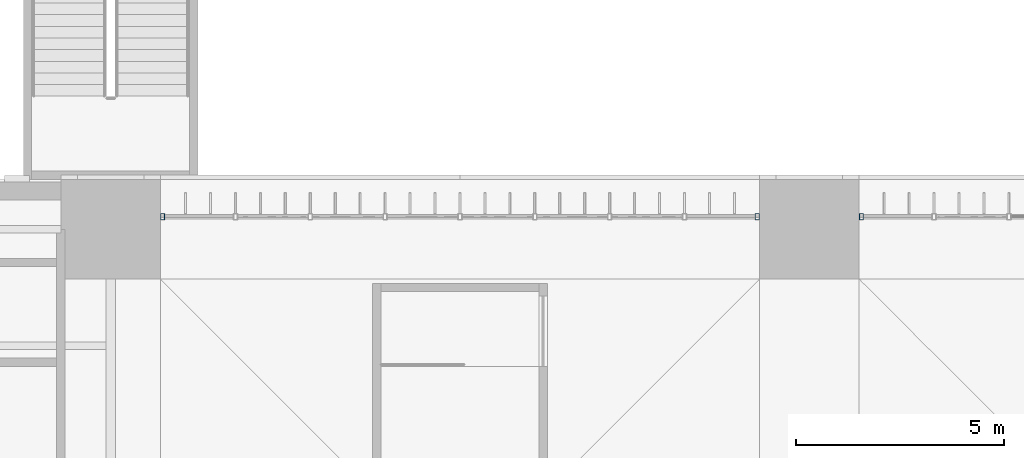
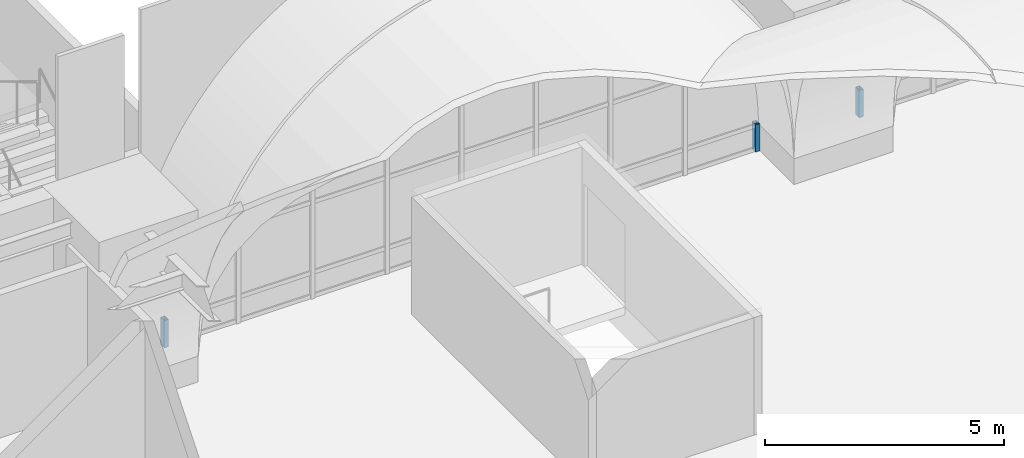
# One storey, part 62 of 169: 3 members, 2 elements without a shape of their own.
"""IFC4 building model written with IfcOpenShell, lengths in metres."""

from ifc_helpers import new_model, si_unit, direction, frame, origin, origin_2d, place, context, subcontext, project, spatial, hollow_rectangle, extrude, material, layer, layer_set, material_profile, profile_set, type_object, element, aggregate, save


model = new_model("IFC4")

# Units and contexts
model_context = context("Model", 3, precision=1e-05, world=origin(), true_north=direction((0.0, 1.0)))
body_context = subcontext(model_context, "Body", "Model", "MODEL_VIEW")
ifc_project = project(units=[si_unit("LENGTHUNIT", "METRE"), si_unit("AREAUNIT", "SQUARE_METRE"), si_unit("VOLUMEUNIT", "CUBIC_METRE"), si_unit("PLANEANGLEUNIT", "RADIAN"), si_unit("MASSUNIT", "GRAM", prefix="KILO")], contexts=[model_context])

# Site, building, storey
site_placement = place(None, origin())
site = spatial("IfcSite", under=ifc_project, at=site_placement, CompositionType="ELEMENT")
building_placement = place(site_placement, origin())
building = spatial("IfcBuilding", under=site, at=building_placement, Name="Verrick Yard Athletic Hall", CompositionType="ELEMENT")
storey_placement = place(building_placement, frame((0.0, 0.0, 4.39990234375)))
storey = spatial("IfcBuildingStorey", under=building, at=storey_placement, Name="L01", CompositionType="ELEMENT", Elevation=4.39990234375)

# Curtain wall, members
ifc_material_1 = material(Name="Aluminium and glass curtain wall", Category="aluminium")
ifc_layer = layer(ifc_material_1, 0.14990234375)
ifc_layer_set = layer_set([ifc_layer], Name="Arcade glazing arch")
curtain_wall_type = type_object("IfcCurtainWallType", Name="Arcade glazing arch", PredefinedType="NOTDEFINED", material=ifc_layer_set)
curtain_wall_1_placement = place(storey_placement, origin())
curtain_wall_1 = element("IfcCurtainWall", 1, at=curtain_wall_1_placement, inside=storey, type_object=curtain_wall_type, Name="Arcade glazing N1", PredefinedType="NOTDEFINED")
ifc_material_2 = material(Name="Structural steel HSS Class C 350W (CSA G40.20/G40.21)", Category="steel")
ifc_material_profile = material_profile(ifc_material_2, hollow_rectangle(XDim=0.1015625, YDim=0.15234375, WallThickness=0.008056640625, at=origin_2d()), Name="HSS152x102x7.9")
ifc_profile_set = profile_set([ifc_material_profile], Name="Structural steel HSS Class C 350W (CSA G40.20/G40.21)")
member_type = type_object("IfcMemberType", Name="Curtain wall mullion HSS152x102x7.9", PredefinedType="MULLION", material=ifc_profile_set)
member_1_placement = place(storey_placement, frame((41.251220703125, 53.10009765625, 0.0), z_axis=(0.0, 0.0, 1.0), x_axis=(1.0, 0.0, 0.0)))
member_1 = element("IfcMember", 2, at=member_1_placement, type_object=member_type, Name="Arcade glazing N1 mullion 1", PredefinedType="MULLION", context=body_context, shape_type="SweptSolid", body=[
    extrude(hollow_rectangle(XDim=0.1015625, YDim=0.15234375, WallThickness=0.008056640625, at=origin_2d()), origin(), (0.0, 0.0, 1.0), 0.700927734375),
])
member_2_placement = place(storey_placement, frame((55.548583984375, 53.10009765625, 0.0), z_axis=(0.0, 0.0, 1.0), x_axis=(1.0, 0.0, 0.0)))
member_2 = element("IfcMember", 3, at=member_2_placement, type_object=member_type, Name="Arcade glazing N1 mullion 9", PredefinedType="MULLION", context=body_context, shape_type="SweptSolid", body=[
    extrude(hollow_rectangle(XDim=0.1015625, YDim=0.15234375, WallThickness=0.008056640625, at=origin_2d()), origin(), (0.0, 0.0, 1.0), 0.700927734375),
])
aggregate(curtain_wall_1, [member_1, member_2])

# Curtain wall, member
curtain_wall_2_placement = place(storey_placement, origin())
curtain_wall_2 = element("IfcCurtainWall", 4, at=curtain_wall_2_placement, inside=storey, type_object=curtain_wall_type, Name="Arcade glazing N2", PredefinedType="NOTDEFINED")
member_3_placement = place(storey_placement, frame((58.05126953125, 53.10009765625, 0.0), z_axis=(0.0, 0.0, 1.0), x_axis=(1.0, 0.0, 0.0)))
member_3 = element("IfcMember", 5, at=member_3_placement, type_object=member_type, Name="Arcade glazing N2 mullion 1", PredefinedType="MULLION", context=body_context, shape_type="SweptSolid", body=[
    extrude(hollow_rectangle(XDim=0.1015625, YDim=0.15234375, WallThickness=0.008056640625, at=origin_2d()), origin(), (0.0, 0.0, 1.0), 0.700927734375),
])
aggregate(curtain_wall_2, [member_3])

save(model, "model.ifc")
